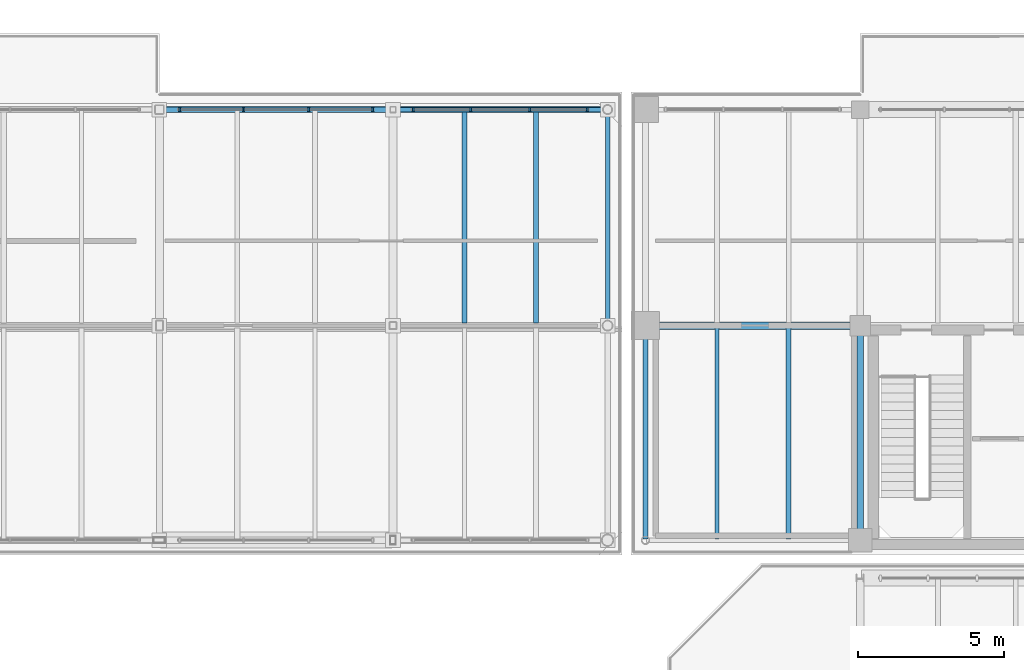
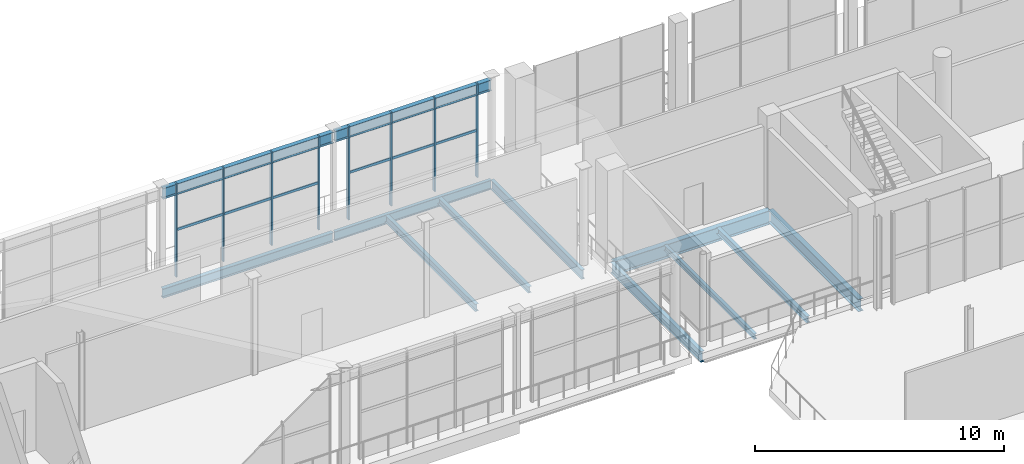
# One storey, part 46 of 93: 14 members, 12 beams, 2 elements without a shape of their own.
"""IFC4 building model written with IfcOpenShell, lengths in metres."""

from ifc_helpers import new_model, si_unit, direction, frame, origin, origin_2d, place, context, subcontext, project, spatial, rectangle, i_section, extrude, material, material_profile, profile_set, type_object, element, aggregate, save


model = new_model("IFC4")

# Units and contexts
model_context = context("Model", 3, precision=1e-05, world=origin(), true_north=direction((0.0, 1.0)))
body_context = subcontext(model_context, "Body", "Model", "MODEL_VIEW")
ifc_project = project(units=[si_unit("LENGTHUNIT", "METRE"), si_unit("AREAUNIT", "SQUARE_METRE"), si_unit("VOLUMEUNIT", "CUBIC_METRE"), si_unit("PLANEANGLEUNIT", "RADIAN"), si_unit("MASSUNIT", "GRAM", prefix="KILO")], contexts=[model_context])

# Site, building, storey
site_placement = place(None, origin())
site = spatial("IfcSite", under=ifc_project, at=site_placement, CompositionType="ELEMENT")
building_placement = place(site_placement, origin())
building = spatial("IfcBuilding", under=site, at=building_placement, Name="Brisemont Oceanarium", CompositionType="ELEMENT")
storey_placement = place(building_placement, frame((0.0, 0.0, 5.39990234375)))
storey = spatial("IfcBuildingStorey", under=building, at=storey_placement, Name="L01", CompositionType="ELEMENT", Elevation=5.39990234375)

# Beams
ifc_material_1 = material(Name="Structural Steel ASTM A992 Gr.50", Category="steel")
ifc_material_profile_1 = material_profile(ifc_material_1, i_section(OverallWidth=0.14599609375, OverallDepth=0.259033203125, WebThickness=0.006103515625, FlangeThickness=0.009033203125, FilletRadius=0.008056640625, at=origin_2d()), Name="W10X22")
ifc_profile_set_1 = profile_set([ifc_material_profile_1], Name="Structural Steel ASTM A992 Gr.50")
beam_type_1 = type_object("IfcBeamType", Name="BM-W10X22", PredefinedType="LINTEL", material=ifc_profile_set_1)
beam_1_placement = place(storey_placement, frame((59.10009765625, 80.68994140625, -0.469482421875), z_axis=(0.0, 1.0, 0.0), x_axis=(-1.0, 0.0, 0.0)))
element("IfcBeam", 1, at=beam_1_placement, inside=storey, type_object=beam_type_1, Name="V7E L01 secondary floor beam", PredefinedType="LINTEL", context=body_context, shape_type="SweptSolid", body=[
    extrude(i_section(OverallWidth=0.14599609375, OverallDepth=0.259033203125, WebThickness=0.006103515625, FlangeThickness=0.009033203125, FilletRadius=0.008056640625, at=origin_2d()), origin(), (0.0, 0.0, 1.0), 7.219970703125),
])
ifc_material_2 = material(Name="Structural Steel ASTM A992 Gr.50", Category="steel")
ifc_material_profile_2 = material_profile(ifc_material_2, i_section(OverallWidth=0.1650390625, OverallDepth=0.31005859375, WebThickness=0.005859375, FlangeThickness=0.009765625, FilletRadius=0.008056640625, at=origin_2d()), Name="W12X26")
ifc_profile_set_2 = profile_set([ifc_material_profile_2], Name="Structural Steel ASTM A992 Gr.50")
beam_type_2 = type_object("IfcBeamType", Name="BM-W12X26", PredefinedType="JOIST", material=ifc_profile_set_2)
beam_2_placement = place(storey_placement, frame((52.89990234375, 88.090087890625, -0.494873046875), z_axis=(0.0, 1.0, 0.0), x_axis=(-1.0, 0.0, 0.0)))
element("IfcBeam", 2, at=beam_2_placement, inside=storey, type_object=beam_type_2, Name="V7W L01 secondary floor beam", PredefinedType="JOIST", context=body_context, shape_type="SweptSolid", body=[
    extrude(i_section(OverallWidth=0.1650390625, OverallDepth=0.31005859375, WebThickness=0.005859375, FlangeThickness=0.009765625, FilletRadius=0.008056640625, at=origin_2d()), origin(), (0.0, 0.0, 1.0), 7.27001953125),
])
beam_3_placement = place(storey_placement, frame((61.550048828125, 80.68994140625, -0.494873046875), z_axis=(0.0, 1.0, 0.0), x_axis=(-1.0, 0.0, 0.0)))
element("IfcBeam", 3, at=beam_3_placement, inside=storey, type_object=beam_type_2, Name="V7E L01 secondary floor beam", PredefinedType="JOIST", context=body_context, shape_type="SweptSolid", body=[
    extrude(i_section(OverallWidth=0.1650390625, OverallDepth=0.31005859375, WebThickness=0.005859375, FlangeThickness=0.009765625, FilletRadius=0.008056640625, at=origin_2d()), origin(), (0.0, 0.0, 1.0), 7.219970703125),
])
ifc_material_3 = material(Name="Structural Steel ASTM A992 Gr.50", Category="steel")
ifc_material_profile_3 = material_profile(ifc_material_3, i_section(OverallWidth=0.1708984375, OverallDepth=0.35107421875, WebThickness=0.0068359375, FlangeThickness=0.009765625, FilletRadius=0.010009765625, at=origin_2d()), Name="W14X30")
ifc_profile_set_3 = profile_set([ifc_material_profile_3], Name="Structural Steel ASTM A992 Gr.50")
beam_type_3 = type_object("IfcBeamType", Name="BM-W14X30", PredefinedType="JOIST", material=ifc_profile_set_3)
beam_4_placement = place(storey_placement, frame((50.449951171875, 88.090087890625, -0.515380859375), z_axis=(0.0, 1.0, 0.0), x_axis=(-1.0, 0.0, 0.0)))
element("IfcBeam", 4, at=beam_4_placement, inside=storey, type_object=beam_type_3, Name="V7W L01 secondary floor beam", PredefinedType="JOIST", context=body_context, shape_type="SweptSolid", body=[
    extrude(i_section(OverallWidth=0.1708984375, OverallDepth=0.35107421875, WebThickness=0.0068359375, FlangeThickness=0.009765625, FilletRadius=0.010009765625, at=origin_2d()), origin(), (0.0, 0.0, 1.0), 7.27001953125),
])
ifc_material_4 = material(Name="Structural Steel ASTM A992 Gr.50", Category="steel")
ifc_material_profile_4 = material_profile(ifc_material_4, i_section(OverallWidth=0.154052734375, OverallDepth=0.458984375, WebThickness=0.009033203125, FlangeThickness=0.015380859375, FilletRadius=0.010986328125, at=origin_2d()), Name="W18X46")
ifc_profile_set_4 = profile_set([ifc_material_profile_4], Name="Structural Steel ASTM A992 Gr.50")
beam_type_4 = type_object("IfcBeamType", Name="BM-W18X46", PredefinedType="SPANDREL", material=ifc_profile_set_4)
beam_5_placement = place(storey_placement, frame((48.0400390625, 95.39990234375, -0.5693359375), z_axis=(1.0, 0.0, 0.0), x_axis=(0.0, 1.0, 0.0)))
element("IfcBeam", 5, at=beam_5_placement, inside=storey, type_object=beam_type_4, Name="V7W L01 EW girder", PredefinedType="SPANDREL", context=body_context, shape_type="SweptSolid", body=[
    extrude(i_section(OverallWidth=0.154052734375, OverallDepth=0.458984375, WebThickness=0.009033203125, FlangeThickness=0.015380859375, FilletRadius=0.010986328125, at=origin_2d()), origin(), (0.0, 0.0, 1.0), 7.27001953125),
])
beam_6_placement = place(storey_placement, frame((55.35009765625, 88.0400390625, -0.5693359375), z_axis=(0.0, 1.0, 0.0), x_axis=(-1.0, 0.0, 0.0)))
element("IfcBeam", 6, at=beam_6_placement, inside=storey, type_object=beam_type_4, Name="V7W L01 NS girder", PredefinedType="SPANDREL", context=body_context, shape_type="SweptSolid", body=[
    extrude(i_section(OverallWidth=0.154052734375, OverallDepth=0.458984375, WebThickness=0.009033203125, FlangeThickness=0.015380859375, FilletRadius=0.010986328125, at=origin_2d()), origin(), (0.0, 0.0, 1.0), 7.320068359375),
])
ifc_material_5 = material(Name="Structural Steel ASTM A992 Gr.50", Category="steel")
ifc_material_profile_5 = material_profile(ifc_material_5, i_section(OverallWidth=0.19091796875, OverallDepth=0.4599609375, WebThickness=0.010009765625, FlangeThickness=0.01611328125, FilletRadius=0.010986328125, at=origin_2d()), Name="W18X55")
ifc_profile_set_5 = profile_set([ifc_material_profile_5], Name="Structural Steel ASTM A992 Gr.50")
beam_type_5 = type_object("IfcBeamType", Name="BM-W18X55", PredefinedType="SPANDREL", material=ifc_profile_set_5)
beam_7_placement = place(storey_placement, frame((40.0400390625, 95.39990234375, -0.56982421875), z_axis=(1.0, 0.0, 0.0), x_axis=(0.0, 1.0, 0.0)))
element("IfcBeam", 7, at=beam_7_placement, inside=storey, type_object=beam_type_5, Name="V7W L01 EW girder", PredefinedType="SPANDREL", context=body_context, shape_type="SweptSolid", body=[
    extrude(i_section(OverallWidth=0.19091796875, OverallDepth=0.4599609375, WebThickness=0.010009765625, FlangeThickness=0.01611328125, FilletRadius=0.010986328125, at=origin_2d()), origin(), (0.0, 0.0, 1.0), 7.919921875),
])
ifc_material_6 = material(Name="Structural Steel ASTM A992 Gr.50", Category="steel")
ifc_material_profile_6 = material_profile(ifc_material_6, i_section(OverallWidth=0.166015625, OverallDepth=0.528076171875, WebThickness=0.009765625, FlangeThickness=0.013671875, FilletRadius=0.012939453125, at=origin_2d()), Name="W21X50")
ifc_profile_set_6 = profile_set([ifc_material_profile_6], Name="Structural Steel ASTM A992 Gr.50")
beam_type_6 = type_object("IfcBeamType", Name="BM-W21X50", PredefinedType="SPANDREL", material=ifc_profile_set_6)
beam_8_placement = place(storey_placement, frame((56.64990234375, 80.68994140625, -0.60400390625), z_axis=(0.0, 1.0, 0.0), x_axis=(-1.0, 0.0, 0.0)))
element("IfcBeam", 8, at=beam_8_placement, inside=storey, type_object=beam_type_6, Name="V7E L01 NS girder", PredefinedType="SPANDREL", context=body_context, shape_type="SweptSolid", body=[
    extrude(i_section(OverallWidth=0.166015625, OverallDepth=0.528076171875, WebThickness=0.009765625, FlangeThickness=0.013671875, FilletRadius=0.012939453125, at=origin_2d()), origin(), (0.0, 0.0, 1.0), 7.27001953125),
])
ifc_material_7 = material(Name="Structural Steel ASTM A992 Gr.50", Category="steel")
ifc_material_profile_7 = material_profile(ifc_material_7, i_section(OverallWidth=0.2099609375, OverallDepth=0.532958984375, WebThickness=0.01025390625, FlangeThickness=0.015625, FilletRadius=0.012939453125, at=origin_2d()), Name="W21X62")
ifc_profile_set_7 = profile_set([ifc_material_profile_7], Name="Structural Steel ASTM A992 Gr.50")
beam_type_7 = type_object("IfcBeamType", Name="BM-W21X62", PredefinedType="BEAM", material=ifc_profile_set_7)
beam_9_placement = place(storey_placement, frame((40.0400390625, 95.39990234375, 4.33349609375), z_axis=(1.0, 0.0, 0.0), x_axis=(0.0, 1.0, 0.0)))
element("IfcBeam", 9, at=beam_9_placement, inside=storey, type_object=beam_type_7, Name="V7W roof eave girder", PredefinedType="BEAM", context=body_context, shape_type="SweptSolid", body=[
    extrude(i_section(OverallWidth=0.2099609375, OverallDepth=0.532958984375, WebThickness=0.01025390625, FlangeThickness=0.015625, FilletRadius=0.012939453125, at=origin_2d()), origin(), (0.0, 0.0, 1.0), 7.919921875),
])
beam_10_placement = place(storey_placement, frame((48.0400390625, 95.39990234375, 4.33349609375), z_axis=(1.0, 0.0, 0.0), x_axis=(0.0, 1.0, 0.0)))
element("IfcBeam", 10, at=beam_10_placement, inside=storey, type_object=beam_type_7, Name="V7W roof eave girder", PredefinedType="BEAM", context=body_context, shape_type="SweptSolid", body=[
    extrude(i_section(OverallWidth=0.2099609375, OverallDepth=0.532958984375, WebThickness=0.01025390625, FlangeThickness=0.015625, FilletRadius=0.012939453125, at=origin_2d()), origin(), (0.0, 0.0, 1.0), 7.27001953125),
])
ifc_material_8 = material(Name="Structural Steel ASTM A992 Gr.50", Category="steel")
ifc_material_profile_8 = material_profile(ifc_material_8, i_section(OverallWidth=0.22802734375, OverallDepth=0.60791015625, WebThickness=0.01123046875, FlangeThickness=0.017333984375, FilletRadius=0.012939453125, at=origin_2d()), Name="W24X76")
ifc_profile_set_8 = profile_set([ifc_material_profile_8], Name="Structural Steel ASTM A992 Gr.50")
beam_type_8 = type_object("IfcBeamType", Name="BM-W24X76", PredefinedType="BEAM", material=ifc_profile_set_8)
beam_11_placement = place(storey_placement, frame((64.0, 80.68994140625, -0.643798828125), z_axis=(0.0, 1.0, 0.0), x_axis=(-1.0, 0.0, 0.0)))
element("IfcBeam", 11, at=beam_11_placement, inside=storey, type_object=beam_type_8, Name="V7E L01 NS girder", PredefinedType="BEAM", context=body_context, shape_type="SweptSolid", body=[
    extrude(i_section(OverallWidth=0.22802734375, OverallDepth=0.60791015625, WebThickness=0.01123046875, FlangeThickness=0.017333984375, FilletRadius=0.012939453125, at=origin_2d()), origin(), (0.0, 0.0, 1.0), 7.27001953125),
])
ifc_material_9 = material(Name="Structural Steel ASTM A992 Gr.50", Category="steel")
ifc_material_profile_9 = material_profile(ifc_material_9, i_section(OverallWidth=0.2529296875, OverallDepth=0.677978515625, WebThickness=0.01171875, FlangeThickness=0.016357421875, FilletRadius=0.014892578125, at=origin_2d()), Name="W27X84")
ifc_profile_set_9 = profile_set([ifc_material_profile_9], Name="Structural Steel ASTM A992 Gr.50")
beam_type_9 = type_object("IfcBeamType", Name="BM-W27X84", PredefinedType="BEAM", material=ifc_profile_set_9)
beam_12_placement = place(storey_placement, frame((56.68994140625, 88.0, -0.678955078125), z_axis=(1.0, 0.0, 0.0), x_axis=(0.0, 1.0, 0.0)))
element("IfcBeam", 12, at=beam_12_placement, inside=storey, type_object=beam_type_9, Name="V7E L01 EW girder", PredefinedType="BEAM", context=body_context, shape_type="SweptSolid", body=[
    extrude(i_section(OverallWidth=0.2529296875, OverallDepth=0.677978515625, WebThickness=0.01171875, FlangeThickness=0.016357421875, FilletRadius=0.014892578125, at=origin_2d()), origin(), (0.0, 0.0, 1.0), 7.27001953125),
])

# Curtain wall, members
ifc_material_10 = material(Name="Anodized Extruded Aluminum 6063-T6", Category="aluminium")
curtain_wall_type = type_object("IfcCurtainWallType", Name="CW-CLR-58X36", PredefinedType="NOTDEFINED", material=ifc_material_10)
curtain_wall_1_placement = place(storey_placement, origin())
curtain_wall_1 = element("IfcCurtainWall", 13, at=curtain_wall_1_placement, inside=storey, type_object=curtain_wall_type, Name="CW-21 curtain wall CW-V7W-N-L01-04", PredefinedType="NOTDEFINED")
ifc_material_11 = material(Name="Anodized Extruded Aluminum 6063-T6", Category="aluminium")
ifc_material_profile_10 = material_profile(ifc_material_11, rectangle(XDim=0.06005859375, YDim=0.14990234375, at=origin_2d()), Name="CWM-60X150")
ifc_profile_set_10 = profile_set([ifc_material_profile_10], Name="Anodized Extruded Aluminum 6063-T6")
member_type_1 = type_object("IfcMemberType", Name="MEM-CWM-60", PredefinedType="MULLION", material=ifc_profile_set_10)
member_1_placement = place(storey_placement, frame((40.695068359375, 95.39990234375, 0.0), z_axis=(0.0, 0.0, 1.0), x_axis=(1.0, 0.0, 0.0)))
member_1 = element("IfcMember", 14, at=member_1_placement, type_object=member_type_1, Name="CW-V7W-N-L01-04 mullion 1", PredefinedType="MULLION", context=body_context, shape_type="SweptSolid", body=[
    extrude(rectangle(XDim=0.06005859375, YDim=0.14990234375, at=origin_2d()), origin(), (0.0, 0.0, 1.0), 4.60009765625),
])
member_2_placement = place(storey_placement, frame((42.88330078125, 95.39990234375, 0.0), z_axis=(0.0, 0.0, 1.0), x_axis=(1.0, 0.0, 0.0)))
member_2 = element("IfcMember", 15, at=member_2_placement, type_object=member_type_1, Name="CW-V7W-N-L01-04 mullion 2", PredefinedType="MULLION", context=body_context, shape_type="SweptSolid", body=[
    extrude(rectangle(XDim=0.06005859375, YDim=0.14990234375, at=origin_2d()), origin(), (0.0, 0.0, 1.0), 4.60009765625),
])
member_3_placement = place(storey_placement, frame((45.11669921875, 95.39990234375, 0.0), z_axis=(0.0, 0.0, 1.0), x_axis=(1.0, 0.0, 0.0)))
member_3 = element("IfcMember", 16, at=member_3_placement, type_object=member_type_1, Name="CW-V7W-N-L01-04 mullion 3", PredefinedType="MULLION", context=body_context, shape_type="SweptSolid", body=[
    extrude(rectangle(XDim=0.06005859375, YDim=0.14990234375, at=origin_2d()), origin(), (0.0, 0.0, 1.0), 4.60009765625),
])
member_4_placement = place(storey_placement, frame((47.304931640625, 95.39990234375, 0.0), z_axis=(0.0, 0.0, 1.0), x_axis=(1.0, 0.0, 0.0)))
member_4 = element("IfcMember", 17, at=member_4_placement, type_object=member_type_1, Name="CW-V7W-N-L01-04 mullion 4", PredefinedType="MULLION", context=body_context, shape_type="SweptSolid", body=[
    extrude(rectangle(XDim=0.06005859375, YDim=0.14990234375, at=origin_2d()), origin(), (0.0, 0.0, 1.0), 4.60009765625),
])

curtain_wall_2_placement = place(storey_placement, origin())
curtain_wall_2 = element("IfcCurtainWall", 18, at=curtain_wall_2_placement, inside=storey, type_object=curtain_wall_type, Name="CW-21 curtain wall CW-V7W-N-L01-05", PredefinedType="NOTDEFINED")
member_5_placement = place(storey_placement, frame((48.695068359375, 95.39990234375, 0.0), z_axis=(0.0, 0.0, 1.0), x_axis=(1.0, 0.0, 0.0)))
member_5 = element("IfcMember", 19, at=member_5_placement, type_object=member_type_1, Name="CW-V7W-N-L01-05 mullion 1", PredefinedType="MULLION", context=body_context, shape_type="SweptSolid", body=[
    extrude(rectangle(XDim=0.06005859375, YDim=0.14990234375, at=origin_2d()), origin(), (0.0, 0.0, 1.0), 4.60009765625),
])
member_6_placement = place(storey_placement, frame((50.666748046875, 95.39990234375, 0.0), z_axis=(0.0, 0.0, 1.0), x_axis=(1.0, 0.0, 0.0)))
member_6 = element("IfcMember", 20, at=member_6_placement, type_object=member_type_1, Name="CW-V7W-N-L01-05 mullion 2", PredefinedType="MULLION", context=body_context, shape_type="SweptSolid", body=[
    extrude(rectangle(XDim=0.06005859375, YDim=0.14990234375, at=origin_2d()), origin(), (0.0, 0.0, 1.0), 4.60009765625),
])
member_7_placement = place(storey_placement, frame((52.683349609375, 95.39990234375, 0.0), z_axis=(0.0, 0.0, 1.0), x_axis=(1.0, 0.0, 0.0)))
member_7 = element("IfcMember", 21, at=member_7_placement, type_object=member_type_1, Name="CW-V7W-N-L01-05 mullion 3", PredefinedType="MULLION", context=body_context, shape_type="SweptSolid", body=[
    extrude(rectangle(XDim=0.06005859375, YDim=0.14990234375, at=origin_2d()), origin(), (0.0, 0.0, 1.0), 4.60009765625),
])
member_8_placement = place(storey_placement, frame((54.655029296875, 95.39990234375, 0.0), z_axis=(0.0, 0.0, 1.0), x_axis=(1.0, 0.0, 0.0)))
member_8 = element("IfcMember", 22, at=member_8_placement, type_object=member_type_1, Name="CW-V7W-N-L01-05 mullion 4", PredefinedType="MULLION", context=body_context, shape_type="SweptSolid", body=[
    extrude(rectangle(XDim=0.06005859375, YDim=0.14990234375, at=origin_2d()), origin(), (0.0, 0.0, 1.0), 4.60009765625),
])

# Member
ifc_material_12 = material(Name="Anodized Extruded Aluminum 6063-T6", Category="aluminium")
ifc_material_profile_11 = material_profile(ifc_material_12, rectangle(XDim=0.06005859375, YDim=0.1201171875, at=origin_2d()), Name="CWT-60X120")
ifc_profile_set_11 = profile_set([ifc_material_profile_11], Name="Anodized Extruded Aluminum 6063-T6")
member_type_2 = type_object("IfcMemberType", Name="MEM-CWT-60", PredefinedType="USERDEFINED", material=ifc_profile_set_11)
member_9_placement = place(storey_placement, frame((40.6650390625, 95.39990234375, 2.300048828125), z_axis=(1.0, 0.0, 0.0), x_axis=(0.0, 1.0, 0.0)))
member_9 = element("IfcMember", 23, at=member_9_placement, type_object=member_type_2, Name="CW-V7W-N-L01-04 transom 1.1", ObjectType="TRANSOM", PredefinedType="USERDEFINED", context=body_context, shape_type="SweptSolid", body=[
    extrude(rectangle(XDim=0.06005859375, YDim=0.1201171875, at=origin_2d()), origin(), (0.0, 0.0, 1.0), 2.203369140625),
])

member_10_placement = place(storey_placement, frame((42.898193359375, 95.39990234375, 2.300048828125), z_axis=(1.0, 0.0, 0.0), x_axis=(0.0, 1.0, 0.0)))
member_10 = element("IfcMember", 24, at=member_10_placement, type_object=member_type_2, Name="CW-V7W-N-L01-04 transom 2.1", ObjectType="TRANSOM", PredefinedType="USERDEFINED", context=body_context, shape_type="SweptSolid", body=[
    extrude(rectangle(XDim=0.06005859375, YDim=0.1201171875, at=origin_2d()), origin(), (0.0, 0.0, 1.0), 2.20361328125),
])

member_11_placement = place(storey_placement, frame((45.131591796875, 95.39990234375, 2.300048828125), z_axis=(1.0, 0.0, 0.0), x_axis=(0.0, 1.0, 0.0)))
member_11 = element("IfcMember", 25, at=member_11_placement, type_object=member_type_2, Name="CW-V7W-N-L01-04 transom 3.1", ObjectType="TRANSOM", PredefinedType="USERDEFINED", context=body_context, shape_type="SweptSolid", body=[
    extrude(rectangle(XDim=0.06005859375, YDim=0.1201171875, at=origin_2d()), origin(), (0.0, 0.0, 1.0), 2.203369140625),
])

aggregate(curtain_wall_1, [member_1, member_2, member_3, member_4, member_9, member_10, member_11])

member_12_placement = place(storey_placement, frame((48.6650390625, 95.39990234375, 2.300048828125), z_axis=(1.0, 0.0, 0.0), x_axis=(0.0, 1.0, 0.0)))
member_12 = element("IfcMember", 26, at=member_12_placement, type_object=member_type_2, Name="CW-V7W-N-L01-05 transom 1.1", ObjectType="TRANSOM", PredefinedType="USERDEFINED", context=body_context, shape_type="SweptSolid", body=[
    extrude(rectangle(XDim=0.06005859375, YDim=0.1201171875, at=origin_2d()), origin(), (0.0, 0.0, 1.0), 1.986572265625),
])

member_13_placement = place(storey_placement, frame((50.681640625, 95.39990234375, 2.300048828125), z_axis=(1.0, 0.0, 0.0), x_axis=(0.0, 1.0, 0.0)))
member_13 = element("IfcMember", 27, at=member_13_placement, type_object=member_type_2, Name="CW-V7W-N-L01-05 transom 2.1", ObjectType="TRANSOM", PredefinedType="USERDEFINED", context=body_context, shape_type="SweptSolid", body=[
    extrude(rectangle(XDim=0.06005859375, YDim=0.1201171875, at=origin_2d()), origin(), (0.0, 0.0, 1.0), 1.986572265625),
])

member_14_placement = place(storey_placement, frame((52.6982421875, 95.39990234375, 2.300048828125), z_axis=(1.0, 0.0, 0.0), x_axis=(0.0, 1.0, 0.0)))
member_14 = element("IfcMember", 28, at=member_14_placement, type_object=member_type_2, Name="CW-V7W-N-L01-05 transom 3.1", ObjectType="TRANSOM", PredefinedType="USERDEFINED", context=body_context, shape_type="SweptSolid", body=[
    extrude(rectangle(XDim=0.06005859375, YDim=0.1201171875, at=origin_2d()), origin(), (0.0, 0.0, 1.0), 1.98681640625),
])

aggregate(curtain_wall_2, [member_5, member_6, member_7, member_8, member_12, member_13, member_14])

save(model, "model.ifc")
